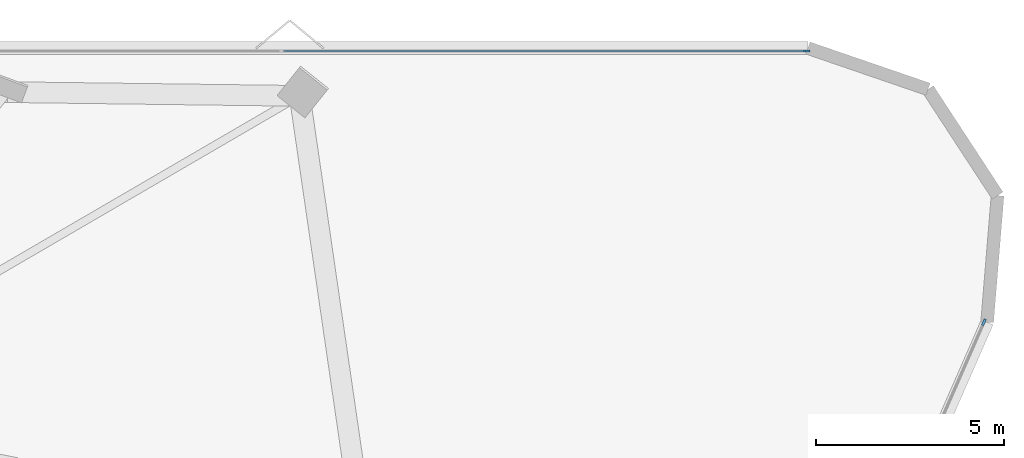
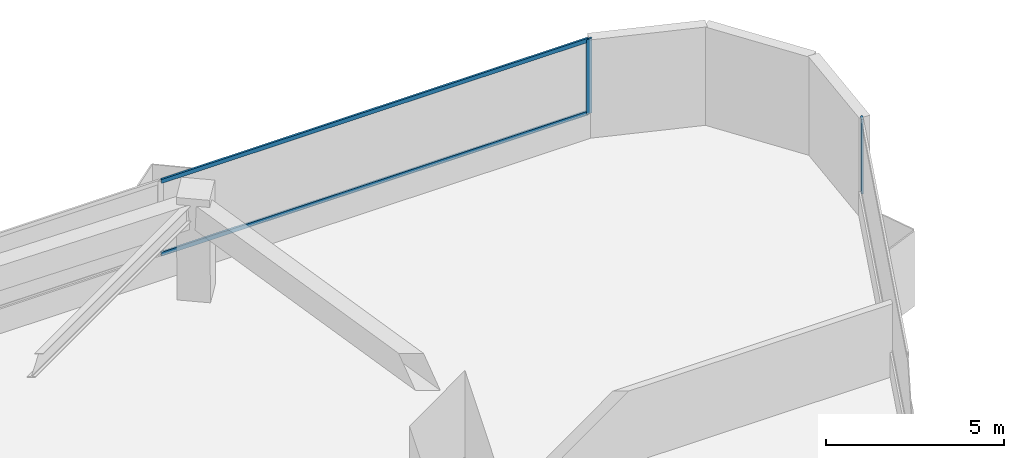
# One storey, part 14 of 20: 4 members, 2 elements without a shape of their own.
"""IFC4 building model written with IfcOpenShell, lengths in metres."""

from ifc_helpers import new_model, si_unit, direction, frame, origin, origin_2d, place, context, subcontext, project, spatial, rectangle, extrude, material, layer, layer_set, material_profile, profile_set, type_object, element, aggregate, save


model = new_model("IFC4")

# Units and contexts
model_context = context("Model", 3, precision=1e-05, world=origin(), true_north=direction((0.0, 1.0)))
body_context = subcontext(model_context, "Body", "Model", "MODEL_VIEW")
ifc_project = project(units=[si_unit("LENGTHUNIT", "METRE"), si_unit("AREAUNIT", "SQUARE_METRE"), si_unit("VOLUMEUNIT", "CUBIC_METRE"), si_unit("PLANEANGLEUNIT", "RADIAN"), si_unit("MASSUNIT", "GRAM", prefix="KILO")], contexts=[model_context])

# Site, building, storey
site_placement = place(None, origin())
site = spatial("IfcSite", under=ifc_project, at=site_placement, CompositionType="ELEMENT")
building_placement = place(site_placement, origin())
building = spatial("IfcBuilding", under=site, at=building_placement, Name="Talyreon Biosciences Tower", CompositionType="ELEMENT")
storey_placement = place(building_placement, frame((0.0, 0.0, 59.300048828125)))
storey = spatial("IfcBuildingStorey", under=building, at=storey_placement, Name="L15", CompositionType="ELEMENT", Elevation=59.300048828125)

# Curtain wall, member
ifc_material_1 = material(Name="Thermally broken aluminium and low-E glazing", Category="aluminium")
ifc_layer = layer(ifc_material_1, 0.195068359375)
ifc_layer_set = layer_set([ifc_layer], Name="Thermally broken aluminium and low-E glazing")
curtain_wall_type = type_object("IfcCurtainWallType", Name="CurtainWall_Zone1WetLab", PredefinedType="NOTDEFINED", material=ifc_layer_set)
curtain_wall_1_placement = place(storey_placement, origin())
curtain_wall_1 = element("IfcCurtainWall", 1, at=curtain_wall_1_placement, inside=storey, type_object=curtain_wall_type, Name="L15 Unitised Curtain Wall FCW-L15-04", PredefinedType="NOTDEFINED")
ifc_material_2 = material(Name="Anodised thermally broken aluminium", Category="aluminium")
ifc_material_profile_1 = material_profile(ifc_material_2, rectangle(XDim=0.06494140625, YDim=0.179931640625, at=origin_2d()), Name="ALUM MULLION 65x180")
ifc_profile_set_1 = profile_set([ifc_material_profile_1], Name="Anodised thermally broken aluminium")
member_type_1 = type_object("IfcMemberType", Name="CWMullion_65x180", PredefinedType="MULLION", material=ifc_profile_set_1)
member_1_placement = place(storey_placement, frame((93.8828125, 91.373779296875, 0.81005859375), z_axis=(0.0, 0.0, 1.0), x_axis=(0.0, 1.0, 0.0)))
member_1 = element("IfcMember", 2, at=member_1_placement, type_object=member_type_1, Name="CW2 mullion 5", PredefinedType="MULLION", context=body_context, shape_type="SweptSolid", body=[
    extrude(rectangle(XDim=0.06494140625, YDim=0.179931640625, at=origin_2d()), origin(), (0.0, 0.0, 1.0), 2.56494140625),
])

curtain_wall_2_placement = place(storey_placement, origin())
curtain_wall_2 = element("IfcCurtainWall", 3, at=curtain_wall_2_placement, inside=storey, type_object=curtain_wall_type, Name="L15 Unitised Curtain Wall FCW-L15-08", PredefinedType="NOTDEFINED")
member_2_placement = place(storey_placement, frame((98.5927734375, 84.171142578125, 0.81005859375), z_axis=(0.0, 0.0, 1.0), x_axis=(0.916092182361, -0.400967721165, 0.0)))
member_2 = element("IfcMember", 4, at=member_2_placement, type_object=member_type_1, Name="CW2 mullion 1", PredefinedType="MULLION", context=body_context, shape_type="SweptSolid", body=[
    extrude(rectangle(XDim=0.06494140625, YDim=0.179931640625, at=origin_2d()), origin(), (0.0, 0.0, 1.0), 2.56494140625),
])
aggregate(curtain_wall_2, [member_2])

# Member
ifc_material_profile_2 = material_profile(ifc_material_2, rectangle(XDim=0.06494140625, YDim=0.139892578125, at=origin_2d()), Name="ALUM TRANSOM 65x140")
ifc_profile_set_2 = profile_set([ifc_material_profile_2], Name="Anodised thermally broken aluminium")
member_type_2 = type_object("IfcMemberType", Name="CWTransom_65x140", PredefinedType="USERDEFINED", material=ifc_profile_set_2)
member_3_placement = place(storey_placement, frame((79.990234375, 91.373779296875, 0.842529296875), z_axis=(1.0, 0.0, 0.0), x_axis=(0.0, 1.0, 0.0)))
member_3 = element("IfcMember", 5, at=member_3_placement, type_object=member_type_2, Name="CW2 transom 4.1", ObjectType="TRANSOM", PredefinedType="USERDEFINED", context=body_context, shape_type="SweptSolid", body=[
    extrude(rectangle(XDim=0.06494140625, YDim=0.139892578125, at=origin_2d()), origin(), (0.0, 0.0, 1.0), 13.860107421875),
])

member_4_placement = place(storey_placement, frame((79.990234375, 91.373779296875, 3.342529296875), z_axis=(1.0, 0.0, 0.0), x_axis=(0.0, 1.0, 0.0)))
member_4 = element("IfcMember", 6, at=member_4_placement, type_object=member_type_2, Name="CW2 transom 4.2", ObjectType="TRANSOM", PredefinedType="USERDEFINED", context=body_context, shape_type="SweptSolid", body=[
    extrude(rectangle(XDim=0.06494140625, YDim=0.139892578125, at=origin_2d()), origin(), (0.0, 0.0, 1.0), 13.860107421875),
])

aggregate(curtain_wall_1, [member_1, member_3, member_4])

save(model, "model.ifc")
